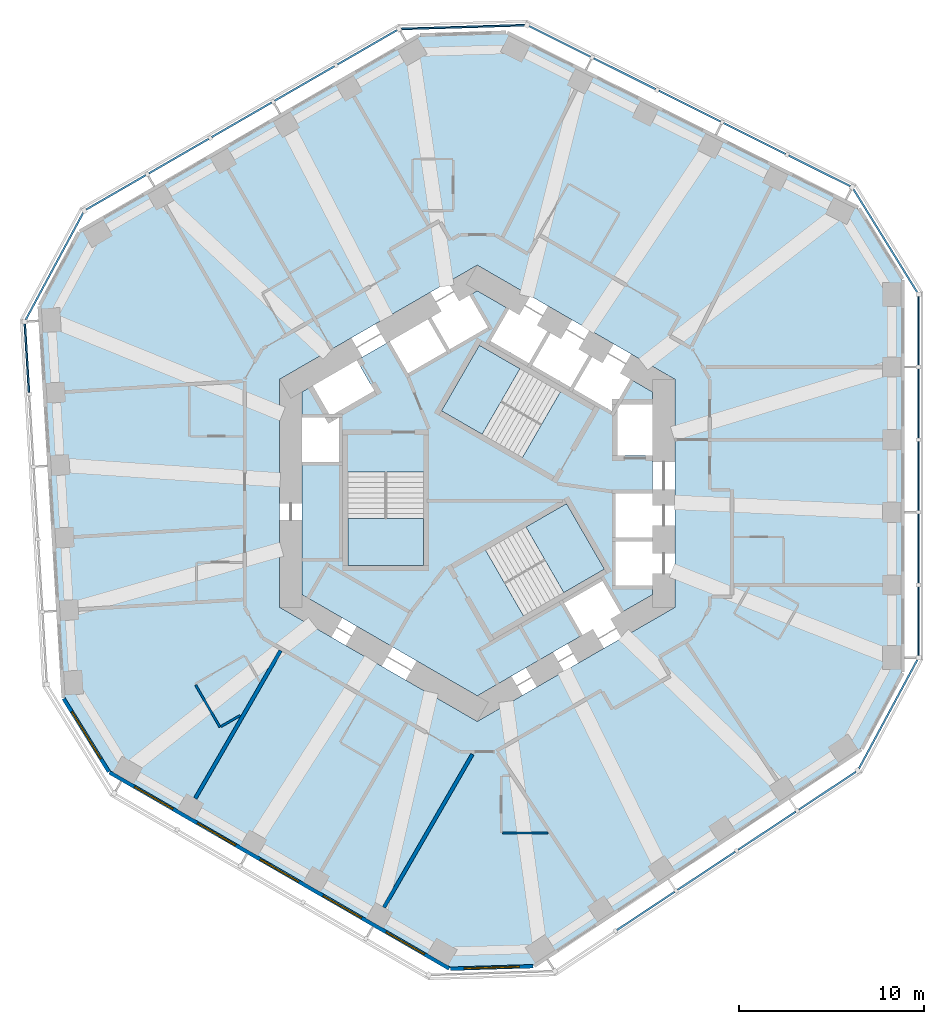
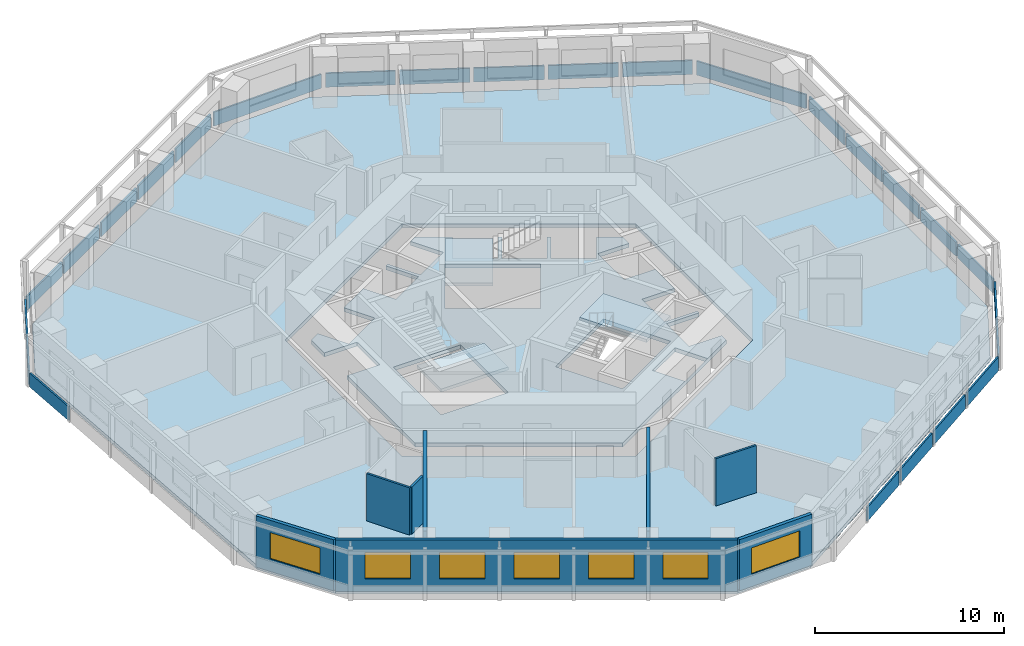
# One storey, part 3 of 11: 24 plates, 8 walls, 7 windows, 5 slabs, 7 openings, 12 elements without a shape of their own.
"""IFC4 building model written with IfcOpenShell, lengths in metres."""

from ifc_helpers import new_model, si_unit, direction, frame, frame_2d, origin, origin_2d, place, context, subcontext, project, spatial, polyline, rectangle, outline, extrude, material, layer, layer_set, type_object, element, fill, aggregate, save


model = new_model("IFC4")

# Units and contexts
model_context = context("Model", 3, precision=1e-05, world=origin(), true_north=direction((0.0, 1.0)))
body_context = subcontext(model_context, "Body", "Model", "MODEL_VIEW")
ifc_project = project(units=[si_unit("LENGTHUNIT", "METRE"), si_unit("AREAUNIT", "SQUARE_METRE"), si_unit("VOLUMEUNIT", "CUBIC_METRE"), si_unit("PLANEANGLEUNIT", "RADIAN"), si_unit("MASSUNIT", "GRAM", prefix="KILO")], contexts=[model_context])

# Site, building, storey
site_placement = place(None, origin())
site = spatial("IfcSite", under=ifc_project, at=site_placement, CompositionType="ELEMENT")
building_placement = place(site_placement, origin())
building = spatial("IfcBuilding", under=site, at=building_placement, Name="Vanh Sen Convention Tower", CompositionType="ELEMENT")
storey_placement = place(building_placement, frame((0.0, 0.0, 96.800048828125)))
storey = spatial("IfcBuildingStorey", under=building, at=storey_placement, Name="L22", CompositionType="ELEMENT", Elevation=96.800048828125)

# Slabs
ifc_material_1 = material(Name="Concrete C40/50", Category="concrete")
ifc_layer_1 = layer(ifc_material_1, 0.25)
ifc_layer_set_1 = layer_set([ifc_layer_1], Name="Concrete C40/50")
slab_type_1 = type_object("IfcSlabType", Name="Core slab 250", PredefinedType="FLOOR", material=ifc_layer_set_1)
slab_1_placement = place(storey_placement, frame((0.0, 0.0, -0.25)))
element("IfcSlab", 1, at=slab_1_placement, inside=storey, type_object=slab_type_1, Name="Core slab L22", PredefinedType="FLOOR", context=body_context, shape_type="SweptSolid", body=[
    extrude(outline(polyline([(9.5, 5.48486328125), (9.5, 4.800048828125), (7.60009765625, 4.800048828125), (7.60009765625, 2.050048828125), (9.5, 2.050048828125), (9.5, 0.0), (7.5, 0.0), (7.5, -2.39990234375), (9.5, -2.39990234375), (9.5, -2.60009765625), (7.5, -2.60009765625), (7.5, -5.0), (9.5, -5.0), (9.5, -5.48486328125), (0.0, -10.9697265625), (-9.5, -5.48486328125), (-9.5, 1.699951171875), (-7.5, 1.699951171875), (-7.5, 4.10009765625), (-9.5, 4.10009765625), (-9.5, 5.48486328125), (-8.906982421875, 5.8271484375), (-7.956787109375, 4.181884765625), (-5.575439453125, 5.556884765625), (-6.525390625, 7.2021484375), (-4.75, 8.227294921875), (-3.75, 6.4951171875), (-1.67138671875, 7.6953125), (-2.67138671875, 9.42724609375), (-2.498291015625, 9.527099609375), (-1.498291015625, 7.795166015625), (0.580078125, 8.9951171875), (-0.419921875, 10.727294921875), (0.0, 10.9697265625), (1.718994140625, 9.977294921875), (0.718994140625, 8.2451171875), (2.79736328125, 7.045166015625), (3.79736328125, 8.777099609375), (3.970703125, 8.67724609375), (2.970703125, 6.9453125), (5.049072265625, 5.7451171875), (6.049072265625, 7.477294921875), (6.22216796875, 7.377197265625), (5.22216796875, 5.645263671875), (7.30078125, 4.4453125), (8.30078125, 6.17724609375), (9.5, 5.48486328125)]), holes=[polyline([(-7.0, 3.14990234375), (-7.0, -3.909912109375), (-2.89990234375, -3.909912109375), (-2.89990234375, 3.14990234375), (-2.89990234375, 1.1494140625), (-7.0, 1.1494140625), (-7.0, 3.14990234375)]), polyline([(4.495361328125, 5.487548828125), (6.22802734375, 4.4873046875), (0.11376953125, 8.01708984375), (-1.936279296875, 4.466552734375), (2.4453125, 1.936767578125), (4.495361328125, 5.487548828125)]), polyline([(7.781005859375, -6.477294921875), (6.781005859375, -4.7451171875), (4.70263671875, -5.9453125), (5.70263671875, -7.67724609375), (7.781005859375, -6.477294921875)]), polyline([(0.45458984375, -3.086181640625), (2.504638671875, -6.63671875), (6.88623046875, -4.107177734375), (4.836181640625, -0.556396484375), (-1.278076171875, -4.08642578125), (0.45458984375, -3.086181640625)])]), origin(), (0.0, 0.0, 1.0), 0.25),
])
ifc_layer_2 = layer(ifc_material_1, 0.25)
ifc_layer_set_2 = layer_set([ifc_layer_2], Name="Concrete C40/50")
slab_type_2 = type_object("IfcSlabType", Name="Floor slab 250 REI 120", PredefinedType="FLOOR", material=ifc_layer_set_2)
slab_2_placement = place(storey_placement, frame((0.0, 0.0, -0.25)))
element("IfcSlab", 2, at=slab_2_placement, inside=storey, type_object=slab_type_2, Name="Floor slab L22 tower", PredefinedType="FLOOR", context=body_context, shape_type="SweptSolid", body=[
    extrude(outline(polyline([(23.0, -9.69921875), (23.0, 11.57373046875), (20.620361328125, 15.419189453125), (1.58251953125, 24.911376953125), (-3.10009765625, 24.768310546875), (-21.523193359375, 14.131591796875), (-23.663818359375, 10.14794921875), (-22.364990234375, -11.085205078125), (-19.89990234375, -15.069091796875), (-1.476806640625, -25.705322265625), (3.04345703125, -25.5673828125), (20.78271484375, -13.825927734375), (23.0, -9.69921875)]), holes=[polyline([(0.0, 12.355224609375), (-10.699951171875, 6.177490234375), (-10.699951171875, -6.177490234375), (0.0, -12.355224609375), (10.699951171875, -6.177490234375), (10.699951171875, 6.177490234375), (0.0, 12.355224609375)])]), origin(), (0.0, 0.0, 1.0), 0.25),
])

# Curtain wall, plates
ifc_material_2 = material(Name="Concrete C50/60", Category="concrete")
curtain_wall_type = type_object("IfcCurtainWallType", Name="Outer skin hotel zone", PredefinedType="NOTDEFINED", material=ifc_material_2)
curtain_wall_1_placement = place(storey_placement, origin())
curtain_wall_1 = element("IfcCurtainWall", 3, at=curtain_wall_1_placement, inside=storey, type_object=curtain_wall_type, Name="OUTER SKIN E L22", PredefinedType="NOTDEFINED")
ifc_layer_3 = layer(ifc_material_2, 0.10009765625)
ifc_layer_set_3 = layer_set([ifc_layer_3], Name="Concrete C50/60")
plate_type = type_object("IfcPlateType", Name="Outer skin precast screen panel 100", PredefinedType="CURTAIN_PANEL", material=ifc_layer_set_3)
plate_1_placement = place(storey_placement, frame((23.89990234375, -6.91943359375, 0.0), z_axis=(0.0, 0.0, 1.0), x_axis=(0.0, 1.0, 0.0)))
plate_1 = element("IfcPlate", 4, at=plate_1_placement, type_object=plate_type, Name="OUTER SKIN screen panel E-1", PredefinedType="CURTAIN_PANEL", context=body_context, shape_type="SweptSolid", body=[
    extrude(rectangle(XDim=3.709716796875, YDim=0.10009765625, at=origin_2d()), origin(), (0.0, 0.0, 1.0), 0.89990234375),
])
plate_2_placement = place(storey_placement, frame((23.89990234375, -2.997314453125, 0.0), z_axis=(0.0, 0.0, 1.0), x_axis=(0.0, 1.0, 0.0)))
plate_2 = element("IfcPlate", 5, at=plate_2_placement, type_object=plate_type, Name="OUTER SKIN screen panel E-2", PredefinedType="CURTAIN_PANEL", context=body_context, shape_type="SweptSolid", body=[
    extrude(rectangle(XDim=3.734619140625, YDim=0.10009765625, at=origin_2d()), origin(), (0.0, 0.0, 1.0), 0.89990234375),
])
plate_3_placement = place(storey_placement, frame((23.89990234375, 0.937255859375, 0.0), z_axis=(0.0, 0.0, 1.0), x_axis=(0.0, 1.0, 0.0)))
plate_3 = element("IfcPlate", 6, at=plate_3_placement, type_object=plate_type, Name="OUTER SKIN screen panel E-3", PredefinedType="CURTAIN_PANEL", context=body_context, shape_type="SweptSolid", body=[
    extrude(rectangle(XDim=3.734619140625, YDim=0.10009765625, at=origin_2d()), origin(), (0.0, 0.0, 1.0), 0.89990234375),
])
plate_4_placement = place(storey_placement, frame((23.89990234375, 4.871826171875, 0.0), z_axis=(0.0, 0.0, 1.0), x_axis=(0.0, 1.0, 0.0)))
plate_4 = element("IfcPlate", 7, at=plate_4_placement, type_object=plate_type, Name="OUTER SKIN screen panel E-4", PredefinedType="CURTAIN_PANEL", context=body_context, shape_type="SweptSolid", body=[
    extrude(rectangle(XDim=3.734619140625, YDim=0.10009765625, at=origin_2d()), origin(), (0.0, 0.0, 1.0), 0.89990234375),
])
plate_5_placement = place(storey_placement, frame((23.89990234375, 8.7939453125, 0.0), z_axis=(0.0, 0.0, 1.0), x_axis=(0.0, 1.0, 0.0)))
plate_5 = element("IfcPlate", 8, at=plate_5_placement, type_object=plate_type, Name="OUTER SKIN screen panel E-5", PredefinedType="CURTAIN_PANEL", context=body_context, shape_type="SweptSolid", body=[
    extrude(rectangle(XDim=3.709716796875, YDim=0.10009765625, at=origin_2d()), origin(), (0.0, 0.0, 1.0), 0.89990234375),
])
aggregate(curtain_wall_1, [plate_1, plate_2, plate_3, plate_4, plate_5])

# Curtain wall, plate
curtain_wall_2_placement = place(storey_placement, origin())
curtain_wall_2 = element("IfcCurtainWall", 9, at=curtain_wall_2_placement, inside=storey, type_object=curtain_wall_type, Name="OUTER SKIN CH1 L22", PredefinedType="NOTDEFINED")
plate_6_placement = place(storey_placement, frame((22.102783203125, 13.677734375, 0.0), z_axis=(0.0, 0.0, 1.0), x_axis=(-0.526212439506, 0.850353143411, 0.0)))
plate_6 = element("IfcPlate", 10, at=plate_6_placement, type_object=plate_type, Name="OUTER SKIN screen panel CH1-1", PredefinedType="CURTAIN_PANEL", context=body_context, shape_type="SweptSolid", body=[
    extrude(rectangle(XDim=6.580078125, YDim=0.10009765625, at=origin_2d()), origin(), (0.0, 0.0, 1.0), 0.89990234375),
])
aggregate(curtain_wall_2, [plate_6])

# Curtain wall, plates
curtain_wall_3_placement = place(storey_placement, origin())
curtain_wall_3 = element("IfcCurtainWall", 11, at=curtain_wall_3_placement, inside=storey, type_object=curtain_wall_type, Name="OUTER SKIN NE L22", PredefinedType="NOTDEFINED")
plate_7_placement = place(storey_placement, frame((18.5341796875, 17.465087890625, 0.0), z_axis=(0.0, 0.0, 1.0), x_axis=(-0.894935140363, 0.446196251154, 0.0)))
plate_7 = element("IfcPlate", 12, at=plate_7_placement, type_object=plate_type, Name="OUTER SKIN screen panel NE-1", PredefinedType="CURTAIN_PANEL", context=body_context, shape_type="SweptSolid", body=[
    extrude(rectangle(XDim=3.709716796875, YDim=0.10009765625, at=origin_2d()), origin(), (0.0, 0.0, 1.0), 0.89990234375),
])
plate_8_placement = place(storey_placement, frame((15.024169921875, 19.215087890625, 0.0), z_axis=(0.0, 0.0, 1.0), x_axis=(-0.894935140363, 0.446196251154, 0.0)))
plate_8 = element("IfcPlate", 13, at=plate_8_placement, type_object=plate_type, Name="OUTER SKIN screen panel NE-2", PredefinedType="CURTAIN_PANEL", context=body_context, shape_type="SweptSolid", body=[
    extrude(rectangle(XDim=3.734619140625, YDim=0.10009765625, at=origin_2d()), origin(), (0.0, 0.0, 1.0), 0.89990234375),
])
plate_9_placement = place(storey_placement, frame((11.5029296875, 20.970703125, 0.0), z_axis=(0.0, 0.0, 1.0), x_axis=(-0.894935140363, 0.446196251154, 0.0)))
plate_9 = element("IfcPlate", 14, at=plate_9_placement, type_object=plate_type, Name="OUTER SKIN screen panel NE-3", PredefinedType="CURTAIN_PANEL", context=body_context, shape_type="SweptSolid", body=[
    extrude(rectangle(XDim=3.734619140625, YDim=0.10009765625, at=origin_2d()), origin(), (0.0, 0.0, 1.0), 0.89990234375),
])
plate_10_placement = place(storey_placement, frame((7.981689453125, 22.726318359375, 0.0), z_axis=(0.0, 0.0, 1.0), x_axis=(-0.894935140363, 0.446196251154, 0.0)))
plate_10 = element("IfcPlate", 15, at=plate_10_placement, type_object=plate_type, Name="OUTER SKIN screen panel NE-4", PredefinedType="CURTAIN_PANEL", context=body_context, shape_type="SweptSolid", body=[
    extrude(rectangle(XDim=3.734619140625, YDim=0.10009765625, at=origin_2d()), origin(), (0.0, 0.0, 1.0), 0.89990234375),
])
plate_11_placement = place(storey_placement, frame((4.4716796875, 24.476318359375, 0.0), z_axis=(0.0, 0.0, 1.0), x_axis=(-0.894935140363, 0.446196251154, 0.0)))
plate_11 = element("IfcPlate", 16, at=plate_11_placement, type_object=plate_type, Name="OUTER SKIN screen panel NE-5", PredefinedType="CURTAIN_PANEL", context=body_context, shape_type="SweptSolid", body=[
    extrude(rectangle(XDim=3.709716796875, YDim=0.10009765625, at=origin_2d()), origin(), (0.0, 0.0, 1.0), 0.89990234375),
])
aggregate(curtain_wall_3, [plate_7, plate_8, plate_9, plate_10, plate_11])

# Curtain wall, plate
curtain_wall_4_placement = place(storey_placement, origin())
curtain_wall_4 = element("IfcCurtainWall", 17, at=curtain_wall_4_placement, inside=storey, type_object=curtain_wall_type, Name="OUTER SKIN CH2 L22", PredefinedType="NOTDEFINED")
plate_12_placement = place(storey_placement, frame((-0.771484375, 25.253662109375, 0.0), z_axis=(0.0, 0.0, 1.0), x_axis=(-0.999533644135, -0.030536768695, 0.0)))
plate_12 = element("IfcPlate", 18, at=plate_12_placement, type_object=plate_type, Name="OUTER SKIN screen panel CH2-1", PredefinedType="CURTAIN_PANEL", context=body_context, shape_type="SweptSolid", body=[
    extrude(rectangle(XDim=6.696044921875, YDim=0.10009765625, at=origin_2d()), origin(), (0.0, 0.0, 1.0), 0.89990234375),
])
aggregate(curtain_wall_4, [plate_12])

# Curtain wall, plates
curtain_wall_5_placement = place(storey_placement, origin())
curtain_wall_5 = element("IfcCurtainWall", 19, at=curtain_wall_5_placement, inside=storey, type_object=curtain_wall_type, Name="OUTER SKIN NW L22", PredefinedType="NOTDEFINED")
plate_13_placement = place(storey_placement, frame((-5.95751953125, 24.15771484375, 0.0), z_axis=(0.0, 0.0, 1.0), x_axis=(-0.866028021766, -0.499995465495, 0.0)))
plate_13 = element("IfcPlate", 20, at=plate_13_placement, type_object=plate_type, Name="OUTER SKIN screen panel NW-1", PredefinedType="CURTAIN_PANEL", context=body_context, shape_type="SweptSolid", body=[
    extrude(rectangle(XDim=3.709716796875, YDim=0.10009765625, at=origin_2d()), origin(), (0.0, 0.0, 1.0), 0.89990234375),
])
plate_14_placement = place(storey_placement, frame((-9.354248046875, 22.19677734375, 0.0), z_axis=(0.0, 0.0, 1.0), x_axis=(-0.866021040428, -0.500007557478, 0.0)))
plate_14 = element("IfcPlate", 21, at=plate_14_placement, type_object=plate_type, Name="OUTER SKIN screen panel NW-2", PredefinedType="CURTAIN_PANEL", context=body_context, shape_type="SweptSolid", body=[
    extrude(rectangle(XDim=3.734619140625, YDim=0.10009765625, at=origin_2d()), origin(), (0.0, 0.0, 1.0), 0.89990234375),
])
plate_15_placement = place(storey_placement, frame((-12.76171875, 20.2294921875, 0.0), z_axis=(0.0, 0.0, 1.0), x_axis=(-0.866028021766, -0.499995465495, 0.0)))
plate_15 = element("IfcPlate", 22, at=plate_15_placement, type_object=plate_type, Name="OUTER SKIN screen panel NW-3", PredefinedType="CURTAIN_PANEL", context=body_context, shape_type="SweptSolid", body=[
    extrude(rectangle(XDim=3.734619140625, YDim=0.10009765625, at=origin_2d()), origin(), (0.0, 0.0, 1.0), 0.89990234375),
])
plate_16_placement = place(storey_placement, frame((-16.169189453125, 18.26220703125, 0.0), z_axis=(0.0, 0.0, 1.0), x_axis=(-0.866028021766, -0.499995465495, 0.0)))
plate_16 = element("IfcPlate", 23, at=plate_16_placement, type_object=plate_type, Name="OUTER SKIN screen panel NW-4", PredefinedType="CURTAIN_PANEL", context=body_context, shape_type="SweptSolid", body=[
    extrude(rectangle(XDim=3.734619140625, YDim=0.10009765625, at=origin_2d()), origin(), (0.0, 0.0, 1.0), 0.89990234375),
])
plate_17_placement = place(storey_placement, frame((-19.56591796875, 16.301025390625, 0.0), z_axis=(0.0, 0.0, 1.0), x_axis=(-0.866021040428, -0.500007557478, 0.0)))
plate_17 = element("IfcPlate", 24, at=plate_17_placement, type_object=plate_type, Name="OUTER SKIN screen panel NW-5", PredefinedType="CURTAIN_PANEL", context=body_context, shape_type="SweptSolid", body=[
    extrude(rectangle(XDim=3.70947265625, YDim=0.10009765625, at=origin_2d()), origin(), (0.0, 0.0, 1.0), 0.89990234375),
])
aggregate(curtain_wall_5, [plate_13, plate_14, plate_15, plate_16, plate_17])

# Curtain wall, plate
curtain_wall_6_placement = place(storey_placement, origin())
curtain_wall_6 = element("IfcCurtainWall", 25, at=curtain_wall_6_placement, inside=storey, type_object=curtain_wall_type, Name="OUTER SKIN CH3 L22", PredefinedType="NOTDEFINED")
plate_18_placement = place(storey_placement, frame((-22.896728515625, 12.302978515625, 0.0), z_axis=(0.0, 0.0, 1.0), x_axis=(-0.47331812974, -0.880891564303, 0.0)))
plate_18 = element("IfcPlate", 26, at=plate_18_placement, type_object=plate_type, Name="OUTER SKIN screen panel CH3-1", PredefinedType="CURTAIN_PANEL", context=body_context, shape_type="SweptSolid", body=[
    extrude(rectangle(XDim=6.580078125, YDim=0.10009765625, at=origin_2d()), origin(), (0.0, 0.0, 1.0), 0.89990234375),
])
aggregate(curtain_wall_6, [plate_18])

curtain_wall_7_placement = place(storey_placement, origin())
curtain_wall_7 = element("IfcCurtainWall", 27, at=curtain_wall_7_placement, inside=storey, type_object=curtain_wall_type, Name="OUTER SKIN W L22", PredefinedType="NOTDEFINED")
plate_19_placement = place(storey_placement, frame((-24.39208984375, 7.318603515625, 0.0), z_axis=(0.0, 0.0, 1.0), x_axis=(0.061046797461, -0.99813490497, 0.0)))
plate_19 = element("IfcPlate", 28, at=plate_19_placement, type_object=plate_type, Name="OUTER SKIN screen panel W-1", PredefinedType="CURTAIN_PANEL", context=body_context, shape_type="SweptSolid", body=[
    extrude(rectangle(XDim=3.709716796875, YDim=0.10009765625, at=origin_2d()), origin(), (0.0, 0.0, 1.0), 0.89990234375),
])
aggregate(curtain_wall_7, [plate_19])

# Curtain wall, plates
curtain_wall_8_placement = place(storey_placement, origin())
curtain_wall_8 = element("IfcCurtainWall", 29, at=curtain_wall_8_placement, inside=storey, type_object=curtain_wall_type, Name="OUTER SKIN SE L22", PredefinedType="NOTDEFINED")
plate_20_placement = place(storey_placement, frame((9.128662109375, -22.618896484375, 0.0), z_axis=(0.0, 0.0, 1.0), x_axis=(0.833891601892, 0.55192825285, 0.0)))
plate_20 = element("IfcPlate", 30, at=plate_20_placement, type_object=plate_type, Name="OUTER SKIN screen panel SE-2", PredefinedType="CURTAIN_PANEL", context=body_context, shape_type="SweptSolid", body=[
    extrude(rectangle(XDim=3.734619140625, YDim=0.10009765625, at=origin_2d()), origin(), (0.0, 0.0, 1.0), 0.89990234375),
])
plate_21_placement = place(storey_placement, frame((12.40966796875, -20.447265625, 0.0), z_axis=(0.0, 0.0, 1.0), x_axis=(0.833880042151, 0.551945717714, 0.0)))
plate_21 = element("IfcPlate", 31, at=plate_21_placement, type_object=plate_type, Name="OUTER SKIN screen panel SE-3", PredefinedType="CURTAIN_PANEL", context=body_context, shape_type="SweptSolid", body=[
    extrude(rectangle(XDim=3.734619140625, YDim=0.10009765625, at=origin_2d()), origin(), (0.0, 0.0, 1.0), 0.89990234375),
])
plate_22_placement = place(storey_placement, frame((15.690673828125, -18.275390625, 0.0), z_axis=(0.0, 0.0, 1.0), x_axis=(0.833891601892, 0.55192825285, 0.0)))
plate_22 = element("IfcPlate", 32, at=plate_22_placement, type_object=plate_type, Name="OUTER SKIN screen panel SE-4", PredefinedType="CURTAIN_PANEL", context=body_context, shape_type="SweptSolid", body=[
    extrude(rectangle(XDim=3.734619140625, YDim=0.10009765625, at=origin_2d()), origin(), (0.0, 0.0, 1.0), 0.89990234375),
])
plate_23_placement = place(storey_placement, frame((18.961181640625, -16.11083984375, 0.0), z_axis=(0.0, 0.0, 1.0), x_axis=(0.833880042151, 0.551945717714, 0.0)))
plate_23 = element("IfcPlate", 33, at=plate_23_placement, type_object=plate_type, Name="OUTER SKIN screen panel SE-5", PredefinedType="CURTAIN_PANEL", context=body_context, shape_type="SweptSolid", body=[
    extrude(rectangle(XDim=3.709716796875, YDim=0.10009765625, at=origin_2d()), origin(), (0.0, 0.0, 1.0), 0.89990234375),
])
aggregate(curtain_wall_8, [plate_20, plate_21, plate_22, plate_23])

# Curtain wall, plate
curtain_wall_9_placement = place(storey_placement, origin())
curtain_wall_9 = element("IfcCurtainWall", 34, at=curtain_wall_9_placement, inside=storey, type_object=curtain_wall_type, Name="OUTER SKIN CH6 L22", PredefinedType="NOTDEFINED")
plate_24_placement = place(storey_placement, frame((22.256103515625, -11.95849609375, 0.0), z_axis=(0.0, 0.0, 1.0), x_axis=(0.473322742071, 0.880889086003, 0.0)))
plate_24 = element("IfcPlate", 35, at=plate_24_placement, type_object=plate_type, Name="OUTER SKIN screen panel CH6-1", PredefinedType="CURTAIN_PANEL", context=body_context, shape_type="SweptSolid", body=[
    extrude(rectangle(XDim=6.6962890625, YDim=0.10009765625, at=origin_2d()), origin(), (0.0, 0.0, 1.0), 0.89990234375),
])
aggregate(curtain_wall_9, [plate_24])

# Stair, slab
ifc_material_3 = material(Name="Concrete C50/60", Category="concrete")
stair_type_1 = type_object("IfcStairType", Name="Exit stair ST1 20 risers at 165.0", PredefinedType="HALF_TURN_STAIR", material=ifc_material_3)
stair_1_placement = place(storey_placement, origin())
stair_1 = element("IfcStair", 36, at=stair_1_placement, inside=storey, type_object=stair_type_1, Name="Exit stair ST1 L22", PredefinedType="HALF_TURN_STAIR")
ifc_layer_4 = layer(ifc_material_1, 0.199951171875)
ifc_layer_set_4 = layer_set([ifc_layer_4], Name="Concrete C40/50")
slab_type_3 = type_object("IfcSlabType", Name="Stair landing 200", PredefinedType="LANDING", material=ifc_layer_set_4)
slab_3_placement = place(storey_placement, frame((0.0, 0.0, 1.449951171875)))
slab_3 = element("IfcSlab", 37, at=slab_3_placement, type_object=slab_type_3, Name="ST1 landing 1", PredefinedType="LANDING", context=body_context, shape_type="SweptSolid", body=[
    extrude(outline(polyline([(2.314208984375, 6.746826171875), (0.11376953125, 8.01708984375), (-1.936279296875, 4.466552734375), (0.26416015625, 3.196044921875), (2.314208984375, 6.746826171875)])), origin(), (0.0, 0.0, 1.0), 0.199951171875),
])
aggregate(stair_1, [slab_3])

stair_type_2 = type_object("IfcStairType", Name="Exit stair ST2 20 risers at 165.0", PredefinedType="HALF_TURN_STAIR", material=ifc_material_3)
stair_2_placement = place(storey_placement, origin())
stair_2 = element("IfcStair", 38, at=stair_2_placement, inside=storey, type_object=stair_type_2, Name="Exit stair ST2 L22", PredefinedType="HALF_TURN_STAIR")
slab_4_placement = place(storey_placement, frame((0.0, 0.0, 1.449951171875)))
slab_4 = element("IfcSlab", 39, at=slab_4_placement, type_object=slab_type_3, Name="ST2 landing 1", PredefinedType="LANDING", context=body_context, shape_type="SweptSolid", body=[
    extrude(outline(polyline([(-7.0, -1.369384765625), (-7.0, -3.909912109375), (-2.89990234375, -3.909912109375), (-2.89990234375, -1.369384765625), (-7.0, -1.369384765625)])), origin(), (0.0, 0.0, 1.0), 0.199951171875),
])
aggregate(stair_2, [slab_4])

stair_type_3 = type_object("IfcStairType", Name="Exit stair ST3 20 risers at 165.0", PredefinedType="HALF_TURN_STAIR", material=ifc_material_3)
stair_3_placement = place(storey_placement, origin())
stair_3 = element("IfcStair", 40, at=stair_3_placement, inside=storey, type_object=stair_type_3, Name="Exit stair ST3 L22", PredefinedType="HALF_TURN_STAIR")
slab_5_placement = place(storey_placement, frame((0.0, 0.0, 1.449951171875)))
slab_5 = element("IfcSlab", 41, at=slab_5_placement, type_object=slab_type_3, Name="ST3 landing 1", PredefinedType="LANDING", context=body_context, shape_type="SweptSolid", body=[
    extrude(outline(polyline([(4.685791015625, -5.37744140625), (6.88623046875, -4.107177734375), (4.836181640625, -0.556396484375), (2.6357421875, -1.826904296875), (4.685791015625, -5.37744140625)])), origin(), (0.0, 0.0, 1.0), 0.199951171875),
])
aggregate(stair_3, [slab_5])

# Walls
ifc_material_4 = material(Name="Moisture-resistant gypsum board on steel studs", Category="steel")
ifc_layer_5 = layer(ifc_material_4, 0.1201171875)
ifc_layer_set_5 = layer_set([ifc_layer_5], Name="Moisture-resistant gypsum board on steel studs")
wall_type_1 = type_object("IfcWallType", Name="Bathroom partition 120", PredefinedType="PARTITIONING", material=ifc_layer_set_5)
wall_1_placement = place(storey_placement, frame((-13.935546875, -12.66455078125, 0.0), z_axis=(0.0, 0.0, 1.0), x_axis=(-0.500007957085, 0.86602080971, 0.0)))
element("IfcWall", 42, at=wall_1_placement, inside=storey, type_object=wall_type_1, Name="Bathroom partition 120", PredefinedType="PARTITIONING", context=body_context, shape_type="SweptSolid", body=[
    extrude(rectangle(XDim=2.64013671875, YDim=0.1201171875, at=frame_2d((1.320068359375, 0.0))), origin(), (0.0, 0.0, 1.0), 3.050048828125),
])
wall_2_placement = place(storey_placement, frame((-12.841552734375, -12.03271484375, 0.0), z_axis=(0.0, 0.0, 1.0), x_axis=(-0.865949042838, -0.500132237721, 0.0)))
element("IfcWall", 43, at=wall_2_placement, inside=storey, type_object=wall_type_1, Name="Bathroom partition 120", PredefinedType="PARTITIONING", context=body_context, shape_type="SweptSolid", body=[
    extrude(rectangle(XDim=1.203369140625, YDim=0.1201171875, at=frame_2d((0.6015625, 0.0))), origin(), (0.0, 0.0, 1.0), 3.050048828125),
])
wall_3_placement = place(storey_placement, frame((3.82763671875, -18.400634765625, 0.0), z_axis=(0.0, 0.0, 1.0), x_axis=(-1.0, 0.0, 0.0)))
element("IfcWall", 44, at=wall_3_placement, inside=storey, type_object=wall_type_1, Name="Bathroom partition 120", PredefinedType="PARTITIONING", context=body_context, shape_type="SweptSolid", body=[
    extrude(rectangle(XDim=2.467529296875, YDim=0.1201171875, at=frame_2d((1.23388671875, 0.0))), origin(), (0.0, 0.0, 1.0), 3.050048828125),
])

# Wall, opening, window
ifc_material_5 = material(Name="Insulated lightweight infill wall")
ifc_layer_6 = layer(ifc_material_5, 0.199951171875)
ifc_layer_set_6 = layer_set([ifc_layer_6], Name="Insulated lightweight infill wall")
wall_type_2 = type_object("IfcWallType", Name="External wall 200", PredefinedType="STANDARD", material=ifc_layer_set_6)
wall_4_placement = place(storey_placement, frame((-22.40087890625, -11.122314453125, 0.0), z_axis=(0.0, 0.0, 1.0), x_axis=(0.526197679914, -0.850362276711, 0.0)))
wall_4 = element("IfcWall", 45, at=wall_4_placement, inside=storey, type_object=wall_type_2, Name="External wall CH4 L22", PredefinedType="STANDARD", context=body_context, shape_type="SweptSolid", body=[
    extrude(rectangle(XDim=4.65966796875, YDim=0.199951171875, at=frame_2d((2.329833984375, 0.0))), origin(), (0.0, 0.0, 1.0), 3.300048828125),
])
opening_1_placement = place(wall_4_placement, frame((0.829833984375, 0.0, 0.800048828125)))
opening_1 = element("IfcOpeningElement", 46, at=opening_1_placement, cuts=wall_4, Name="Opening WH2-CH41", PredefinedType="OPENING", context=body_context, shape_type="SweptSolid", body=[
    extrude(rectangle(XDim=3.0, YDim=1.699951171875, at=frame_2d((1.5, 0.85009765625))), frame((0.0, 0.10986328125, 0.0), z_axis=(0.0, -1.0, 0.0), x_axis=(1.0, 0.0, 0.0)), (0.0, 0.0, 1.0), 0.219970703125),
])
ifc_material_6 = material(Name="Aluminium frame with clear low-emissivity glass", Category="aluminium")
window_type_1 = type_object("IfcWindowType", Name="Hotel window 3000 x 1700", PartitioningType="SINGLE_PANEL", PredefinedType="WINDOW", material=ifc_material_6)
window_1_placement = place(opening_1_placement, origin())
window_1 = element("IfcWindow", 47, at=window_1_placement, inside=storey, type_object=window_type_1, Name="Window WH2-CH41", OverallHeight=1.699951171875, OverallWidth=3.0, PartitioningType="SINGLE_PANEL", PredefinedType="WINDOW", context=body_context, shape_type="SweptSolid", body=[
    extrude(rectangle(XDim=3.0, YDim=1.699951171875, at=frame_2d((1.5, 0.85009765625))), frame((0.0, 0.030029296875, 0.0), z_axis=(0.0, -1.0, 0.0), x_axis=(1.0, 0.0, 0.0)), (0.0, 0.0, 1.0), 0.06005859375),
])
fill(opening_1, window_1)

# Wall, openings, windows
wall_5_placement = place(storey_placement, frame((-19.913818359375, -15.11865234375, 0.0), z_axis=(0.0, 0.0, 1.0), x_axis=(0.866025418898, -0.499999973822, 0.0)))
wall_5 = element("IfcWall", 48, at=wall_5_placement, inside=storey, type_object=wall_type_2, Name="External wall SW L22", PredefinedType="STANDARD", context=body_context, shape_type="SweptSolid", body=[
    extrude(rectangle(XDim=21.24609375, YDim=0.199951171875, at=frame_2d((10.623046875, 0.0))), origin(), (0.0, 0.0, 1.0), 3.300048828125),
])
opening_2_placement = place(wall_5_placement, frame((1.5546875, 0.0, 0.800048828125)))
opening_2 = element("IfcOpeningElement", 49, at=opening_2_placement, cuts=wall_5, Name="Opening WH1-SW1", PredefinedType="OPENING", context=body_context, shape_type="SweptSolid", body=[
    extrude(rectangle(XDim=2.39990234375, YDim=1.699951171875, at=frame_2d((1.199951171875, 0.85009765625))), frame((0.0, 0.10986328125, 0.0), z_axis=(0.0, -1.0, 0.0), x_axis=(1.0, 0.0, 0.0)), (0.0, 0.0, 1.0), 0.219970703125),
])
opening_3_placement = place(wall_5_placement, frame((5.4892578125, 0.0, 0.800048828125)))
opening_3 = element("IfcOpeningElement", 50, at=opening_3_placement, cuts=wall_5, Name="Opening WH1-SW2", PredefinedType="OPENING", context=body_context, shape_type="SweptSolid", body=[
    extrude(rectangle(XDim=2.39990234375, YDim=1.699951171875, at=frame_2d((1.199951171875, 0.85009765625))), frame((0.0, 0.10986328125, 0.0), z_axis=(0.0, -1.0, 0.0), x_axis=(1.0, 0.0, 0.0)), (0.0, 0.0, 1.0), 0.219970703125),
])
opening_4_placement = place(wall_5_placement, frame((9.423828125, 0.0, 0.800048828125)))
opening_4 = element("IfcOpeningElement", 51, at=opening_4_placement, cuts=wall_5, Name="Opening WH1-SW3", PredefinedType="OPENING", context=body_context, shape_type="SweptSolid", body=[
    extrude(rectangle(XDim=2.39990234375, YDim=1.699951171875, at=frame_2d((1.199951171875, 0.85009765625))), frame((0.0, 0.10986328125, 0.0), z_axis=(0.0, -1.0, 0.0), x_axis=(1.0, 0.0, 0.0)), (0.0, 0.0, 1.0), 0.219970703125),
])
opening_5_placement = place(wall_5_placement, frame((13.3583984375, 0.0, 0.800048828125)))
opening_5 = element("IfcOpeningElement", 52, at=opening_5_placement, cuts=wall_5, Name="Opening WH1-SW4", PredefinedType="OPENING", context=body_context, shape_type="SweptSolid", body=[
    extrude(rectangle(XDim=2.39990234375, YDim=1.699951171875, at=frame_2d((1.199951171875, 0.85009765625))), frame((0.0, 0.10986328125, 0.0), z_axis=(0.0, -1.0, 0.0), x_axis=(1.0, 0.0, 0.0)), (0.0, 0.0, 1.0), 0.219970703125),
])
opening_6_placement = place(wall_5_placement, frame((17.293212890625, 0.0, 0.800048828125)))
opening_6 = element("IfcOpeningElement", 53, at=opening_6_placement, cuts=wall_5, Name="Opening WH1-SW5", PredefinedType="OPENING", context=body_context, shape_type="SweptSolid", body=[
    extrude(rectangle(XDim=2.39990234375, YDim=1.699951171875, at=frame_2d((1.199951171875, 0.85009765625))), frame((0.0, 0.10986328125, 0.0), z_axis=(0.0, -1.0, 0.0), x_axis=(1.0, 0.0, 0.0)), (0.0, 0.0, 1.0), 0.219970703125),
])
window_type_2 = type_object("IfcWindowType", Name="Hotel window 2400 x 1700", PartitioningType="SINGLE_PANEL", PredefinedType="WINDOW", material=ifc_material_6)
window_2_placement = place(opening_2_placement, origin())
window_2 = element("IfcWindow", 54, at=window_2_placement, inside=storey, type_object=window_type_2, Name="Window WH1-SW1", OverallHeight=1.699951171875, OverallWidth=2.39990234375, PartitioningType="SINGLE_PANEL", PredefinedType="WINDOW", context=body_context, shape_type="SweptSolid", body=[
    extrude(rectangle(XDim=2.39990234375, YDim=1.699951171875, at=frame_2d((1.199951171875, 0.85009765625))), frame((0.0, 0.030029296875, 0.0), z_axis=(0.0, -1.0, 0.0), x_axis=(1.0, 0.0, 0.0)), (0.0, 0.0, 1.0), 0.06005859375),
])
fill(opening_2, window_2)
window_3_placement = place(opening_3_placement, origin())
window_3 = element("IfcWindow", 55, at=window_3_placement, inside=storey, type_object=window_type_2, Name="Window WH1-SW2", OverallHeight=1.699951171875, OverallWidth=2.39990234375, PartitioningType="SINGLE_PANEL", PredefinedType="WINDOW", context=body_context, shape_type="SweptSolid", body=[
    extrude(rectangle(XDim=2.39990234375, YDim=1.699951171875, at=frame_2d((1.199951171875, 0.85009765625))), frame((0.0, 0.030029296875, 0.0), z_axis=(0.0, -1.0, 0.0), x_axis=(1.0, 0.0, 0.0)), (0.0, 0.0, 1.0), 0.06005859375),
])
fill(opening_3, window_3)
window_4_placement = place(opening_4_placement, origin())
window_4 = element("IfcWindow", 56, at=window_4_placement, inside=storey, type_object=window_type_2, Name="Window WH1-SW3", OverallHeight=1.699951171875, OverallWidth=2.39990234375, PartitioningType="SINGLE_PANEL", PredefinedType="WINDOW", context=body_context, shape_type="SweptSolid", body=[
    extrude(rectangle(XDim=2.39990234375, YDim=1.699951171875, at=frame_2d((1.199951171875, 0.85009765625))), frame((0.0, 0.030029296875, 0.0), z_axis=(0.0, -1.0, 0.0), x_axis=(1.0, 0.0, 0.0)), (0.0, 0.0, 1.0), 0.06005859375),
])
fill(opening_4, window_4)
window_5_placement = place(opening_5_placement, origin())
window_5 = element("IfcWindow", 57, at=window_5_placement, inside=storey, type_object=window_type_2, Name="Window WH1-SW4", OverallHeight=1.699951171875, OverallWidth=2.39990234375, PartitioningType="SINGLE_PANEL", PredefinedType="WINDOW", context=body_context, shape_type="SweptSolid", body=[
    extrude(rectangle(XDim=2.39990234375, YDim=1.699951171875, at=frame_2d((1.199951171875, 0.85009765625))), frame((0.0, 0.030029296875, 0.0), z_axis=(0.0, -1.0, 0.0), x_axis=(1.0, 0.0, 0.0)), (0.0, 0.0, 1.0), 0.06005859375),
])
fill(opening_5, window_5)
window_6_placement = place(opening_6_placement, origin())
window_6 = element("IfcWindow", 58, at=window_6_placement, inside=storey, type_object=window_type_2, Name="Window WH1-SW5", OverallHeight=1.699951171875, OverallWidth=2.39990234375, PartitioningType="SINGLE_PANEL", PredefinedType="WINDOW", context=body_context, shape_type="SweptSolid", body=[
    extrude(rectangle(XDim=2.39990234375, YDim=1.699951171875, at=frame_2d((1.199951171875, 0.85009765625))), frame((0.0, 0.030029296875, 0.0), z_axis=(0.0, -1.0, 0.0), x_axis=(1.0, 0.0, 0.0)), (0.0, 0.0, 1.0), 0.06005859375),
])
fill(opening_6, window_6)

# Wall, opening, window
wall_6_placement = place(storey_placement, frame((-1.461181640625, -25.7548828125, 0.0), z_axis=(0.0, 0.0, 1.0), x_axis=(0.999533823446, 0.030530898895, 0.0)))
wall_6 = element("IfcWall", 59, at=wall_6_placement, inside=storey, type_object=wall_type_2, Name="External wall CH5 L22", PredefinedType="STANDARD", context=body_context, shape_type="SweptSolid", body=[
    extrude(rectangle(XDim=4.494140625, YDim=0.199951171875, at=frame_2d((2.2470703125, 0.0))), origin(), (0.0, 0.0, 1.0), 3.300048828125),
])
opening_7_placement = place(wall_6_placement, frame((0.7470703125, 0.0, 0.800048828125)))
opening_7 = element("IfcOpeningElement", 60, at=opening_7_placement, cuts=wall_6, Name="Opening WH2-CH51", PredefinedType="OPENING", context=body_context, shape_type="SweptSolid", body=[
    extrude(rectangle(XDim=3.0, YDim=1.699951171875, at=frame_2d((1.5, 0.85009765625))), frame((0.0, 0.10986328125, 0.0), z_axis=(0.0, -1.0, 0.0), x_axis=(1.0, 0.0, 0.0)), (0.0, 0.0, 1.0), 0.219970703125),
])
window_7_placement = place(opening_7_placement, origin())
window_7 = element("IfcWindow", 61, at=window_7_placement, inside=storey, type_object=window_type_1, Name="Window WH2-CH51", OverallHeight=1.699951171875, OverallWidth=3.0, PartitioningType="SINGLE_PANEL", PredefinedType="WINDOW", context=body_context, shape_type="SweptSolid", body=[
    extrude(rectangle(XDim=3.0, YDim=1.699951171875, at=frame_2d((1.5, 0.85009765625))), frame((0.0, 0.030029296875, 0.0), z_axis=(0.0, -1.0, 0.0), x_axis=(1.0, 0.0, 0.0)), (0.0, 0.0, 1.0), 0.06005859375),
])
fill(opening_7, window_7)

# Walls
ifc_material_7 = material(Name="Gypsum board on steel studs with mineral wool", Category="steel")
ifc_layer_7 = layer(ifc_material_7, 0.199951171875)
ifc_layer_set_7 = layer_set([ifc_layer_7], Name="Gypsum board on steel studs with mineral wool")
wall_type_3 = type_object("IfcWallType", Name="Hotel party wall 200", PredefinedType="PARTITIONING", material=ifc_layer_set_7)
wall_7_placement = place(storey_placement, frame((-15.2744140625, -16.527099609375, 0.0), z_axis=(0.0, 0.0, 1.0), x_axis=(0.49998823431, 0.866032196602, 0.0)))
element("IfcWall", 62, at=wall_7_placement, inside=storey, type_object=wall_type_3, Name="Hotel party wall 200", PredefinedType="PARTITIONING", context=body_context, shape_type="SweptSolid", body=[
    extrude(rectangle(XDim=9.250244140625, YDim=0.199951171875, at=frame_2d((4.625, 0.0))), origin(), (0.0, 0.0, 1.0), 3.050048828125),
])
wall_8_placement = place(storey_placement, frame((-5.052001953125, -22.4287109375, 0.0), z_axis=(0.0, 0.0, 1.0), x_axis=(0.500004329283, 0.866022904257, 0.0)))
element("IfcWall", 63, at=wall_8_placement, inside=storey, type_object=wall_type_3, Name="Hotel party wall 200", PredefinedType="PARTITIONING", context=body_context, shape_type="SweptSolid", body=[
    extrude(rectangle(XDim=9.57177734375, YDim=0.199951171875, at=frame_2d((4.785888671875, 0.0))), origin(), (0.0, 0.0, 1.0), 3.050048828125),
])

save(model, "model.ifc")
